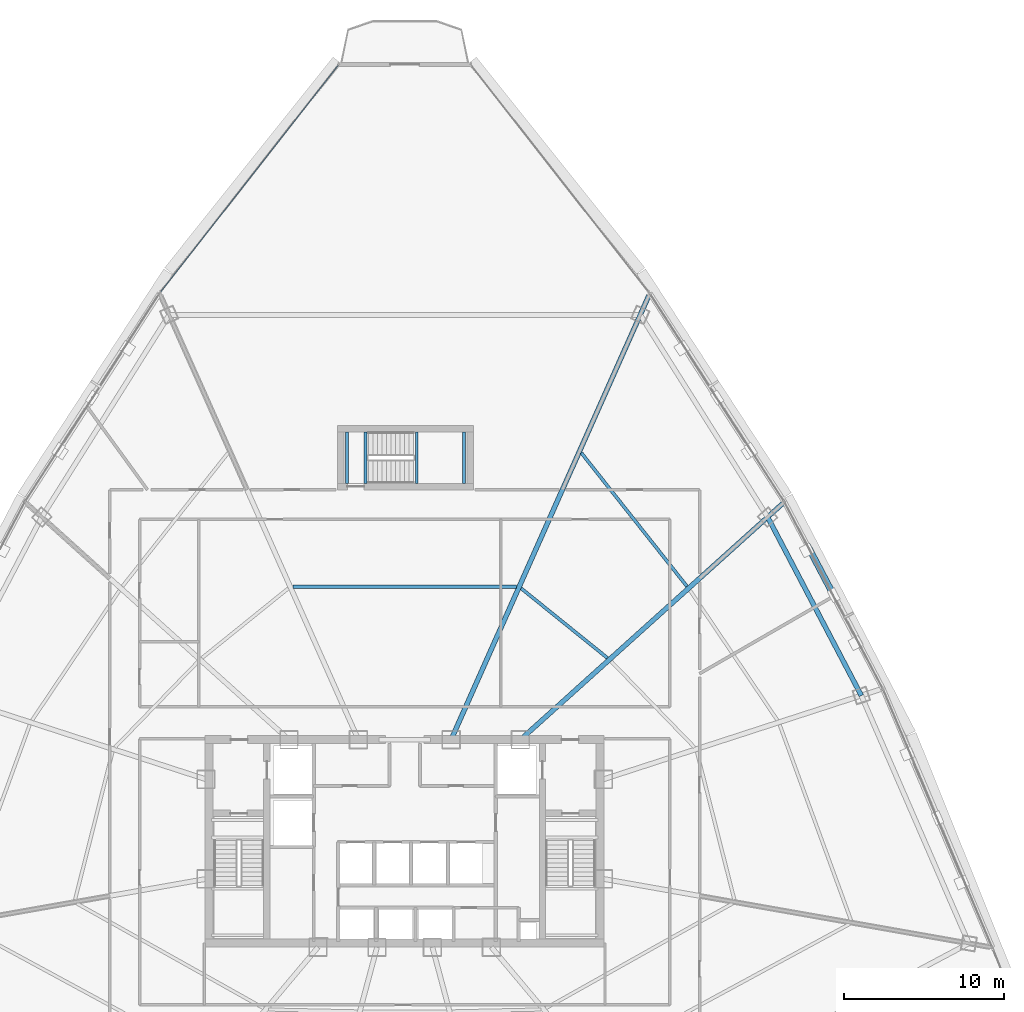
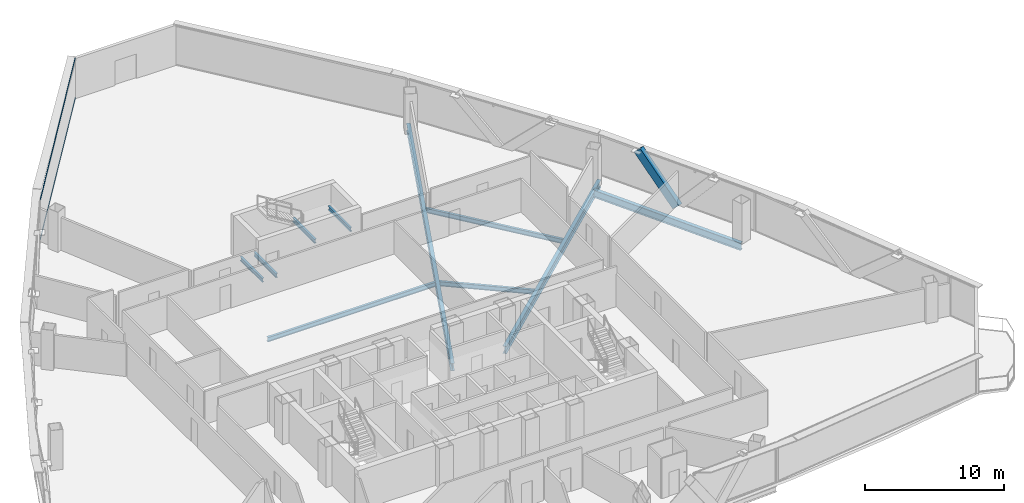
# One storey, part 19 of 36: 10 beams, 3 members, 1 element without a shape of its own.
"""IFC4 building model written with IfcOpenShell, lengths in metres."""

from ifc_helpers import new_model, si_unit, direction, frame, origin, origin_2d, place, context, subcontext, project, spatial, hollow_rectangle, i_section, extrude, source, transform, mapped, material, layer, layer_set, material_profile, profile_set, type_object, element, aggregate, save


model = new_model("IFC4")

# Units and contexts
model_context = context("Model", 3, precision=1e-05, world=origin(), true_north=direction((0.0, 1.0)))
body_context = subcontext(model_context, "Body", "Model", "MODEL_VIEW")
ifc_project = project(units=[si_unit("LENGTHUNIT", "METRE"), si_unit("AREAUNIT", "SQUARE_METRE"), si_unit("VOLUMEUNIT", "CUBIC_METRE"), si_unit("PLANEANGLEUNIT", "RADIAN"), si_unit("MASSUNIT", "GRAM", prefix="KILO"), si_unit("THERMODYNAMICTEMPERATUREUNIT", "KELVIN"), si_unit("POWERUNIT", "WATT")], contexts=[model_context])

# Site, building, storey
site_placement = place(None, origin())
site = spatial("IfcSite", under=ifc_project, at=site_placement, CompositionType="ELEMENT")
building_placement = place(site_placement, origin())
building = spatial("IfcBuilding", under=site, at=building_placement, Name="Yunzhuo Pagoda Commons", CompositionType="ELEMENT")
storey_placement = place(building_placement, frame((0.0, 0.0, 215.159912109375)))
storey = spatial("IfcBuildingStorey", under=building, at=storey_placement, Name="L54", CompositionType="ELEMENT", Elevation=215.159912109375)

# Beams
ifc_material_1 = material(Name="Structural steel Q355B", Category="steel")
ifc_material_profile_1 = material_profile(ifc_material_1, i_section(OverallWidth=0.175048828125, OverallDepth=0.35009765625, WebThickness=0.007080078125, FlangeThickness=0.010986328125, at=origin_2d()), Name="Structural steel Q355B")
ifc_profile_set_1 = profile_set([ifc_material_profile_1], Name="Structural steel Q355B")
beam_type_1 = type_object("IfcBeamType", Name="B-JS2 Joist HN 350x175x7x11", PredefinedType="JOIST", material=ifc_profile_set_1)
shared_shape_1 = source(origin(), body_context, "Body", "SweptSolid", [
    extrude(i_section(OverallWidth=0.175048828125, OverallDepth=0.35009765625, WebThickness=0.007080078125, FlangeThickness=0.010986328125, at=origin_2d()), origin(), (0.0, 0.0, 1.0), 3.199951171875),
])
for number, where, z_axis, x_axis, name in (
    (1, (48.75, 56.199951171875, 1.525146484375), (0.0, 1.0, 0.0), (-1.0, 0.0, 0.0), "L54 ST3 landing support beam 60A"),
    (2, (51.699951171875, 56.199951171875, 1.525146484375), (0.0, 1.0, 0.0), (-1.0, 0.0, 0.0), "L54 ST3 landing support beam 60B"),
    (3, (44.39990234375, 56.199951171875, -0.375), (0.0, 1.0, 0.0), (-1.0, 0.0, 0.0), "L54 ST3 landing support beam 128A"),
    (4, (45.550048828125, 56.199951171875, -0.375), (0.0, 1.0, 0.0), (-1.0, 0.0, 0.0), "L54 ST3 landing support beam 128B"),
):
    element("IfcBeam", number, at=place(storey_placement, frame(where, z_axis=z_axis, x_axis=x_axis)), inside=storey, type_object=beam_type_1, Name=name, PredefinedType="JOIST", context=body_context, shape_type="MappedRepresentation", body=[
        mapped(shared_shape_1, transform((0.0, 0.0, 0.0), scale=1.0)),
    ])
ifc_material_profile_2 = material_profile(ifc_material_1, i_section(OverallWidth=0.300048828125, OverallDepth=0.64990234375, WebThickness=0.012939453125, FlangeThickness=0.02197265625, at=origin_2d()), Name="Structural steel Q355B")
ifc_profile_set_2 = profile_set([ifc_material_profile_2], Name="Structural steel Q355B")
beam_type_2 = type_object("IfcBeamType", Name="B-RG2 Beam HN 650x300x13x22", PredefinedType="BEAM", material=ifc_profile_set_2)
shared_shape_2 = source(origin(), body_context, "Body", "SweptSolid", [
    extrude(i_section(OverallWidth=0.300048828125, OverallDepth=0.64990234375, WebThickness=0.012939453125, FlangeThickness=0.02197265625, at=origin_2d()), origin(), (0.0, 0.0, 1.0), 12.576416015625),
])
beam_1_placement = place(storey_placement, frame((76.49462890625, 42.95849609375, -0.5849609375), z_axis=(-0.464676385233, 0.885480579689, 0.0), x_axis=(-0.885480579689, -0.464676385233, 0.0)))
element("IfcBeam", 5, at=beam_1_placement, inside=storey, type_object=beam_type_2, Name="L54 column-ring beam 6", PredefinedType="BEAM", context=body_context, shape_type="MappedRepresentation", body=[
    mapped(shared_shape_2, transform((0.0, 0.0, 0.0), scale=1.0)),
])
ifc_material_profile_3 = material_profile(ifc_material_1, i_section(OverallWidth=0.199951171875, OverallDepth=0.39990234375, WebThickness=0.008056640625, FlangeThickness=0.012939453125, at=origin_2d()), Name="Structural steel Q355B")
ifc_profile_set_3 = profile_set([ifc_material_profile_3], Name="Structural steel Q355B")
beam_type_3 = type_object("IfcBeamType", Name="B-JS1 Joist HN 400x200x8x13", PredefinedType="JOIST", material=ifc_profile_set_3)
shared_shape_3 = source(origin(), body_context, "Body", "SweptSolid", [
    extrude(i_section(OverallWidth=0.199951171875, OverallDepth=0.39990234375, WebThickness=0.008056640625, FlangeThickness=0.012939453125, at=origin_2d()), origin(), (0.0, 0.0, 1.0), 6.916748046875),
])
beam_2_placement = place(storey_placement, frame((60.650634765625, 45.302001953125, -0.4599609375), z_axis=(-0.778265575865, 0.627935262127, 0.0), x_axis=(-0.627935262127, -0.778265575865, 0.0)))
element("IfcBeam", 6, at=beam_2_placement, inside=storey, type_object=beam_type_3, Name="L54 composite ring joist 1.7", PredefinedType="JOIST", context=body_context, shape_type="MappedRepresentation", body=[
    mapped(shared_shape_3, transform((0.0, 0.0, 0.0), scale=1.0)),
])
shared_shape_4 = source(origin(), body_context, "Body", "SweptSolid", [
    extrude(i_section(OverallWidth=0.199951171875, OverallDepth=0.39990234375, WebThickness=0.008056640625, FlangeThickness=0.012939453125, at=origin_2d()), origin(), (0.0, 0.0, 1.0), 10.62548828125),
])
beam_3_placement = place(storey_placement, frame((65.614013671875, 49.773193359375, -0.4599609375), z_axis=(-0.620561688531, 0.784157631301, 0.0), x_axis=(-0.784157631301, -0.620561688531, 0.0)))
element("IfcBeam", 7, at=beam_3_placement, inside=storey, type_object=beam_type_3, Name="L54 composite ring joist 2.7", PredefinedType="JOIST", context=body_context, shape_type="MappedRepresentation", body=[
    mapped(shared_shape_4, transform((0.0, 0.0, 0.0), scale=1.0)),
])
shared_shape_5 = source(origin(), body_context, "Body", "SweptSolid", [
    extrude(i_section(OverallWidth=0.199951171875, OverallDepth=0.39990234375, WebThickness=0.008056640625, FlangeThickness=0.012939453125, at=origin_2d()), origin(), (0.0, 0.0, 1.0), 13.9697265625),
])
beam_4_placement = place(storey_placement, frame((54.98486328125, 49.7451171875, -0.4599609375), z_axis=(-1.0, 0.0, 0.0), x_axis=(0.0, -1.0, 0.0)))
element("IfcBeam", 8, at=beam_4_placement, inside=storey, type_object=beam_type_3, Name="L54 composite ring joist 1.8", PredefinedType="JOIST", context=body_context, shape_type="MappedRepresentation", body=[
    mapped(shared_shape_5, transform((0.0, 0.0, 0.0), scale=1.0)),
])
shared_shape_6 = source(origin(), body_context, "Body", "SweptSolid", [
    extrude(i_section(OverallWidth=0.300048828125, OverallDepth=0.64990234375, WebThickness=0.012939453125, FlangeThickness=0.02197265625, at=origin_2d()), origin(), (0.0, 0.0, 1.0), 22.02490234375),
])
beam_5_placement = place(storey_placement, frame((71.586669921875, 54.9375, -0.5849609375), z_axis=(-0.743144207788, -0.669131292371, 0.0), x_axis=(0.669131292371, -0.743144207788, 0.0)))
element("IfcBeam", 9, at=beam_5_placement, inside=storey, type_object=beam_type_2, Name="L54 radial floor girder F2C3", PredefinedType="BEAM", context=body_context, shape_type="MappedRepresentation", body=[
    mapped(shared_shape_6, transform((0.0, 0.0, 0.0), scale=1.0)),
])
shared_shape_7 = source(origin(), body_context, "Body", "SweptSolid", [
    extrude(i_section(OverallWidth=0.300048828125, OverallDepth=0.64990234375, WebThickness=0.012939453125, FlangeThickness=0.02197265625, at=origin_2d()), origin(), (0.0, 0.0, 1.0), 30.3408203125),
])
beam_6_placement = place(storey_placement, frame((63.234619140625, 67.917724609375, -0.5849609375), z_axis=(-0.406731921455, -0.913547559829, 0.0), x_axis=(0.913547559829, -0.406731921455, 0.0)))
element("IfcBeam", 10, at=beam_6_placement, inside=storey, type_object=beam_type_2, Name="L54 radial floor girder F2C4", PredefinedType="BEAM", context=body_context, shape_type="MappedRepresentation", body=[
    mapped(shared_shape_7, transform((0.0, 0.0, 0.0), scale=1.0)),
])

# Member
ifc_material_profile_4 = material_profile(ifc_material_1, hollow_rectangle(XDim=0.39990234375, YDim=0.719970703125, WallThickness=0.02392578125, at=origin_2d()), Name="Structural steel Q355B")
ifc_profile_set_4 = profile_set([ifc_material_profile_4], Name="Structural steel Q355B")
member_type_1 = type_object("IfcMemberType", Name="M-DL2 Brace BOX 720x400x24", PredefinedType="BRACE", material=ifc_profile_set_4)
shared_shape_8 = source(origin(), body_context, "Body", "SweptSolid", [
    extrude(hollow_rectangle(XDim=0.39990234375, YDim=0.719970703125, WallThickness=0.02392578125, at=origin_2d()), origin(), (0.0, 0.0, 1.0), 5.011962890625),
])
member_1_placement = place(storey_placement, frame((74.770263671875, 49.218017578125, -0.260009765625), z_axis=(-0.306147133299, 0.580924536472, 0.754188713584), x_axis=(-0.884668683913, -0.466220248063, 0.0)))
element("IfcMember", 11, at=member_1_placement, inside=storey, type_object=member_type_1, Name="L54 facade diamond brace F2.2R", PredefinedType="BRACE", context=body_context, shape_type="MappedRepresentation", body=[
    mapped(shared_shape_8, transform((0.0, 0.0, 0.0), scale=1.0)),
])

# Curtain wall, members
ifc_material_2 = material(Name="Anodized aluminium 6063-T6", Category="aluminium")
ifc_layer = layer(ifc_material_2, 0.14990234375)
ifc_layer_set = layer_set([ifc_layer], Name="Anodized aluminium 6063-T6")
curtain_wall_type = type_object("IfcCurtainWallType", Name="CW-MID Mid-Zone Ribbon Curtain Wall", PredefinedType="NOTDEFINED", material=ifc_layer_set)
curtain_wall_placement = place(storey_placement, origin())
curtain_wall = element("IfcCurtainWall", 12, at=curtain_wall_placement, inside=storey, type_object=curtain_wall_type, Name="L54 curtain wall CW-L54-F3B1", PredefinedType="NOTDEFINED")
ifc_material_profile_5 = material_profile(ifc_material_2, hollow_rectangle(XDim=0.054931640625, YDim=0.1298828125, WallThickness=0.00341796875, at=origin_2d()), Name="Anodized aluminium 6063-T6")
ifc_profile_set_5 = profile_set([ifc_material_profile_5], Name="Anodized aluminium 6063-T6")
member_type_2 = type_object("IfcMemberType", Name="CW-MID-T Transom RHS 130x55x3.5", PredefinedType="USERDEFINED", material=ifc_profile_set_5)
shared_shape_9 = source(origin(), body_context, "Body", "SweptSolid", [
    extrude(hollow_rectangle(XDim=0.054931640625, YDim=0.1298828125, WallThickness=0.00341796875, at=origin_2d()), origin(), (0.0, 0.0, 1.0), 17.94091796875),
])
member_2_placement = place(storey_placement, frame((43.848388671875, 82.28955078125, 0.027587890625), z_axis=(-0.616633301758, -0.7872505136, 0.0), x_axis=(0.7872505136, -0.616633301758, 0.0)))
member_2 = element("IfcMember", 13, at=member_2_placement, type_object=member_type_2, Name="CW transom 1.1", ObjectType="TRANSOM", PredefinedType="USERDEFINED", context=body_context, shape_type="MappedRepresentation", body=[
    mapped(shared_shape_9, transform((0.0, 0.0, 0.0), scale=1.0)),
])
member_3_placement = place(storey_placement, frame((43.848388671875, 82.28955078125, 3.49267578125), z_axis=(-0.616633301758, -0.7872505136, 0.0), x_axis=(0.7872505136, -0.616633301758, 0.0)))
member_3 = element("IfcMember", 14, at=member_3_placement, type_object=member_type_2, Name="CW transom 1.2", ObjectType="TRANSOM", PredefinedType="USERDEFINED", context=body_context, shape_type="MappedRepresentation", body=[
    mapped(shared_shape_9, transform((0.0, 0.0, 0.0), scale=1.0)),
])
aggregate(curtain_wall, [member_2, member_3])

save(model, "model.ifc")
